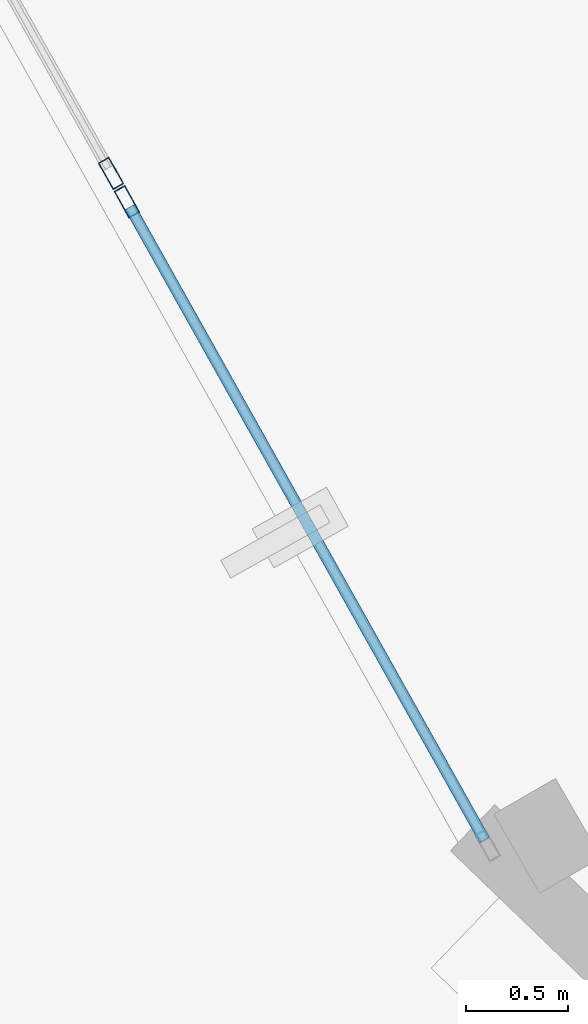
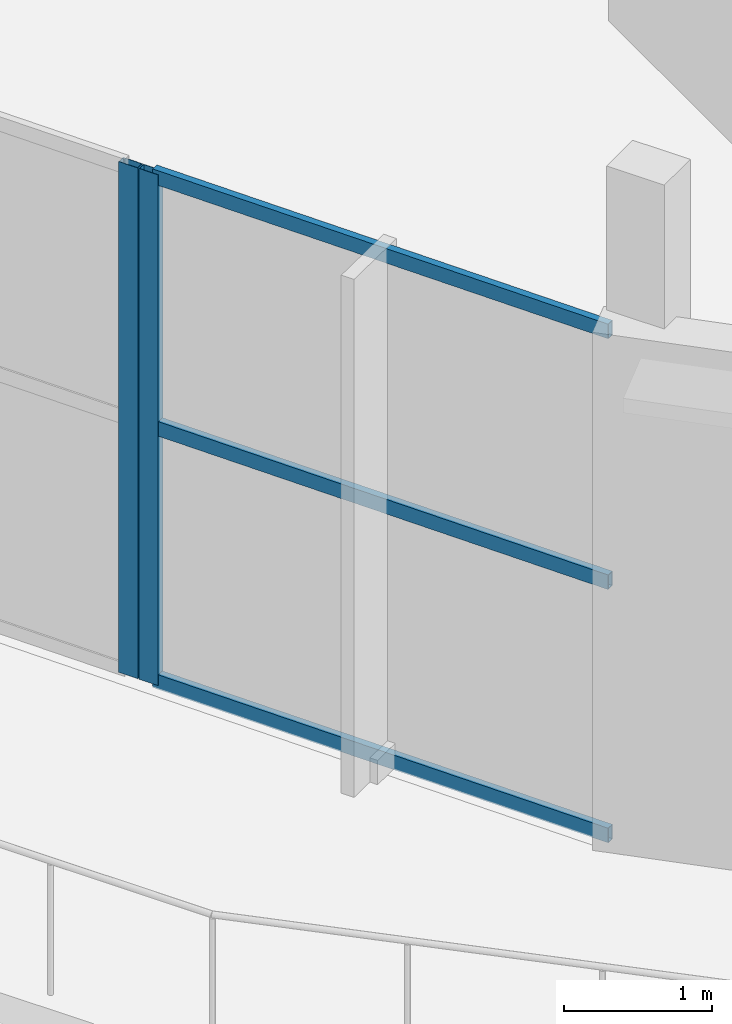
# One storey, part 24 of 123: 5 members, 2 elements without a shape of their own.
"""IFC4 building model written with IfcOpenShell, lengths in metres."""

from ifc_helpers import new_model, si_unit, direction, frame, origin, origin_2d, place, context, subcontext, project, spatial, hollow_rectangle, extrude, material, layer, layer_set, material_profile, profile_set, type_object, element, aggregate, save


model = new_model("IFC4")

# Units and contexts
model_context = context("Model", 3, precision=1e-05, world=origin(), true_north=direction((0.0, 1.0)))
body_context = subcontext(model_context, "Body", "Model", "MODEL_VIEW")
ifc_project = project(units=[si_unit("LENGTHUNIT", "METRE"), si_unit("AREAUNIT", "SQUARE_METRE"), si_unit("VOLUMEUNIT", "CUBIC_METRE"), si_unit("PLANEANGLEUNIT", "RADIAN"), si_unit("MASSUNIT", "GRAM", prefix="KILO")], contexts=[model_context])

# Site, building, storey
site_placement = place(None, origin())
site = spatial("IfcSite", under=ifc_project, at=site_placement, CompositionType="ELEMENT")
building_placement = place(site_placement, origin())
building = spatial("IfcBuilding", under=site, at=building_placement, Name="Kalgoora Escarpment Arena", CompositionType="ELEMENT")
storey_placement = place(building_placement, frame((0.0, 0.0, 9.89990234375)))
storey = spatial("IfcBuildingStorey", under=building, at=storey_placement, Name="L02", CompositionType="ELEMENT", Elevation=9.89990234375)

# Curtain wall, member
ifc_material_1 = material(Name=" Champagne anodised aluminium & double-glazed low-E", Category="aluminium")
ifc_layer_1 = layer(ifc_material_1, 0.154052734375)
ifc_layer_set_1 = layer_set([ifc_layer_1], Name="CW-UNIT-16")
curtain_wall_type_1 = type_object("IfcCurtainWallType", Name="CW-UNIT-16", PredefinedType="NOTDEFINED", material=ifc_layer_set_1)
curtain_wall_1_placement = place(storey_placement, origin())
curtain_wall_1 = element("IfcCurtainWall", 1, at=curtain_wall_1_placement, inside=storey, type_object=curtain_wall_type_1, Name="L02 unitised facade curtain wall 055", PredefinedType="NOTDEFINED")
ifc_material_2 = material(Name="Anodised aluminium 6063-T6", Category="aluminium")
ifc_material_profile_1 = material_profile(ifc_material_2, hollow_rectangle(XDim=0.06005859375, YDim=0.14990234375, WallThickness=0.00341796875, at=origin_2d()))
ifc_profile_set_1 = profile_set([ifc_material_profile_1], Name="Anodised aluminium 6063-T6")
member_type_1 = type_object("IfcMemberType", Name="MEM-CW-MULL-150", PredefinedType="MULLION", material=ifc_profile_set_1)
member_1_placement = place(storey_placement, frame((18.968505859375, 36.72265625, 0.02001953125), z_axis=(0.0, 0.0, 1.0), x_axis=(-0.872355947952, -0.488871251019, 0.0)))
member_1 = element("IfcMember", 2, at=member_1_placement, type_object=member_type_1, Name="CW-16 mullion 2", PredefinedType="MULLION", context=body_context, shape_type="SweptSolid", body=[
    extrude(hollow_rectangle(XDim=0.06005859375, YDim=0.14990234375, WallThickness=0.00341796875, at=origin_2d()), origin(), (0.0, 0.0, 1.0), 4.205078125),
])

ifc_material_3 = material(Name=" Champagne anodised aluminium & double-glazed low-E", Category="aluminium")
ifc_layer_2 = layer(ifc_material_3, 0.157958984375)
ifc_layer_set_2 = layer_set([ifc_layer_2], Name="CW-UNIT-17")
curtain_wall_type_2 = type_object("IfcCurtainWallType", Name="CW-UNIT-17", PredefinedType="NOTDEFINED", material=ifc_layer_set_2)
curtain_wall_2_placement = place(storey_placement, origin())
curtain_wall_2 = element("IfcCurtainWall", 3, at=curtain_wall_2_placement, inside=storey, type_object=curtain_wall_type_2, Name="L02 unitised facade curtain wall 056", PredefinedType="NOTDEFINED")
member_2_placement = place(storey_placement, frame((18.890380859375, 36.8623046875, 0.02001953125), z_axis=(0.0, 0.0, 1.0), x_axis=(-0.872362417509, -0.488859706375, 0.0)))
member_2 = element("IfcMember", 4, at=member_2_placement, type_object=member_type_1, Name="CW-17 mullion 1", PredefinedType="MULLION", context=body_context, shape_type="SweptSolid", body=[
    extrude(hollow_rectangle(XDim=0.06005859375, YDim=0.14990234375, WallThickness=0.00341796875, at=origin_2d()), origin(), (0.0, 0.0, 1.0), 4.205078125),
])
aggregate(curtain_wall_2, [member_2])

# Member
ifc_material_4 = material(Name="Anodised aluminium 6063-T6", Category="aluminium")
ifc_material_profile_2 = material_profile(ifc_material_4, hollow_rectangle(XDim=0.054931640625, YDim=0.1201171875, WallThickness=0.003173828125, at=origin_2d()))
ifc_profile_set_2 = profile_set([ifc_material_profile_2], Name="Anodised aluminium 6063-T6")
member_type_2 = type_object("IfcMemberType", Name="MEM-CW-TRAN-120", PredefinedType="USERDEFINED", material=ifc_profile_set_2)
member_3_placement = place(storey_placement, frame((20.73046875, 33.578857421875, 0.047607421875), z_axis=(-0.488904958447, 0.872337057338, 0.0), x_axis=(-0.872337057338, -0.488904958447, 0.0)))
member_3 = element("IfcMember", 5, at=member_3_placement, type_object=member_type_2, Name="CW-16 transom 1.1", ObjectType="TRANSOM", PredefinedType="USERDEFINED", context=body_context, shape_type="SweptSolid", body=[
    extrude(hollow_rectangle(XDim=0.054931640625, YDim=0.1201171875, WallThickness=0.003173828125, at=origin_2d()), origin(), (0.0, 0.0, 1.0), 3.573974609375),
])

member_4_placement = place(storey_placement, frame((20.73046875, 33.578857421875, 2.132568359375), z_axis=(-0.488904958447, 0.872337057338, 0.0), x_axis=(-0.872337057338, -0.488904958447, 0.0)))
member_4 = element("IfcMember", 6, at=member_4_placement, type_object=member_type_2, Name="CW-16 transom 1.2", ObjectType="TRANSOM", PredefinedType="USERDEFINED", context=body_context, shape_type="SweptSolid", body=[
    extrude(hollow_rectangle(XDim=0.054931640625, YDim=0.1201171875, WallThickness=0.003173828125, at=origin_2d()), origin(), (0.0, 0.0, 1.0), 3.573974609375),
])

member_5_placement = place(storey_placement, frame((20.73046875, 33.578857421875, 4.197509765625), z_axis=(-0.488904958447, 0.872337057338, 0.0), x_axis=(-0.872337057338, -0.488904958447, 0.0)))
member_5 = element("IfcMember", 7, at=member_5_placement, type_object=member_type_2, Name="CW-16 transom 1.3", ObjectType="TRANSOM", PredefinedType="USERDEFINED", context=body_context, shape_type="SweptSolid", body=[
    extrude(hollow_rectangle(XDim=0.054931640625, YDim=0.1201171875, WallThickness=0.003173828125, at=origin_2d()), origin(), (0.0, 0.0, 1.0), 3.573974609375),
])

aggregate(curtain_wall_1, [member_1, member_3, member_4, member_5])

save(model, "model.ifc")
